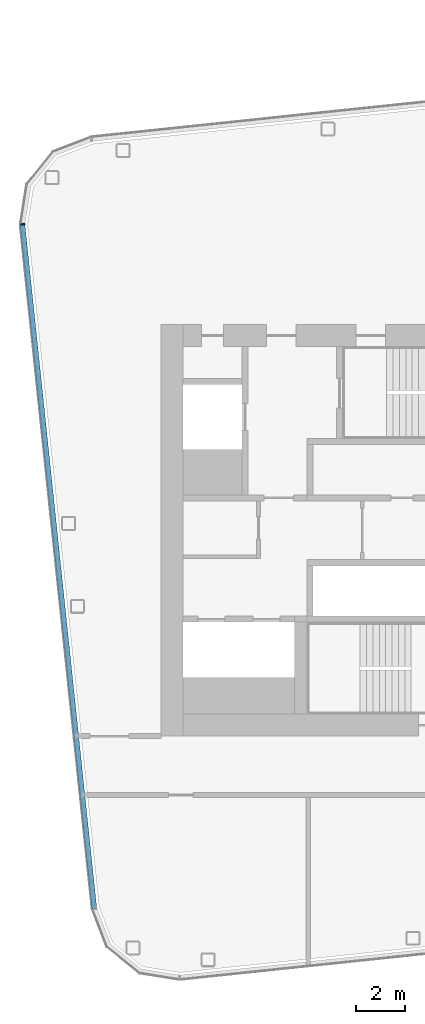
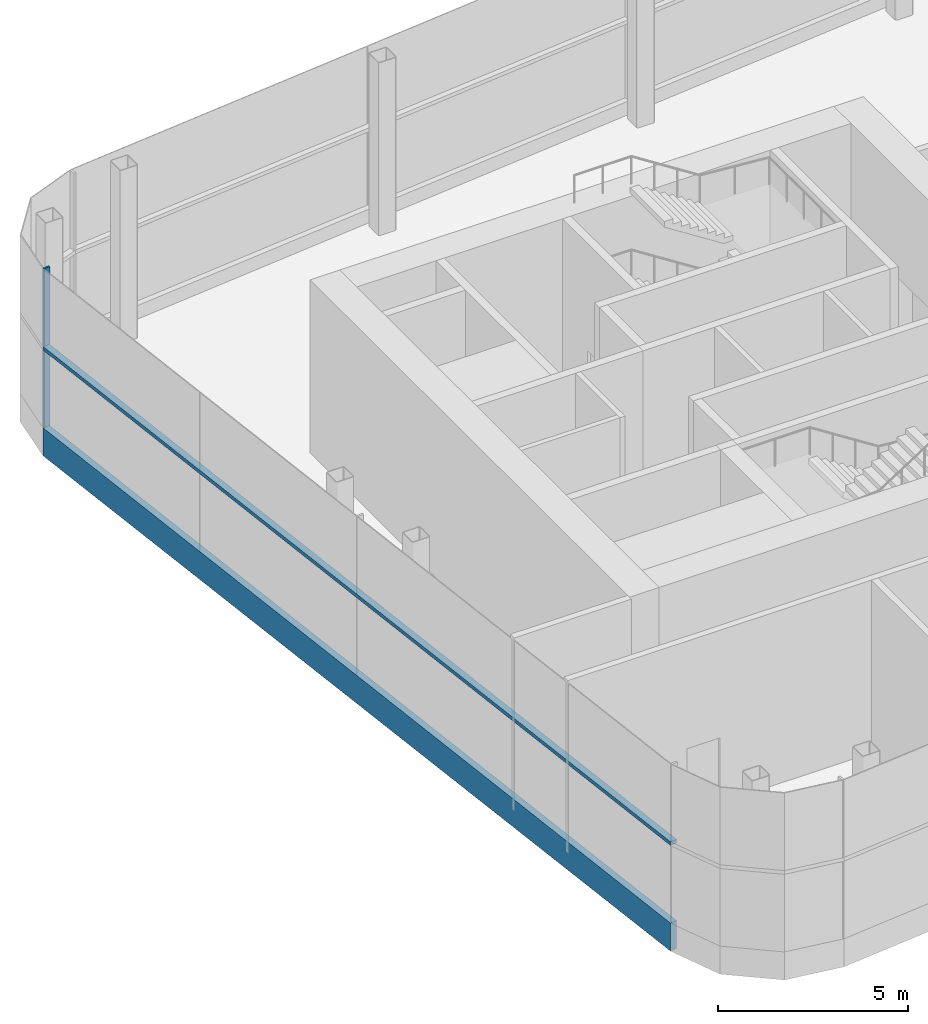
# One storey, part 4 of 35: 4 members, 1 element without a shape of its own.
"""IFC4 building model written with IfcOpenShell, lengths in metres."""

from ifc_helpers import new_model, si_unit, direction, frame, origin, origin_2d, place, context, subcontext, project, spatial, rectangle, extrude, material, layer, layer_set, material_profile, profile_set, type_object, element, aggregate, save


model = new_model("IFC4")

# Units and contexts
model_context = context("Model", 3, precision=1e-05, world=origin(), true_north=direction((0.0, 1.0)))
body_context = subcontext(model_context, "Body", "Model", "MODEL_VIEW")
ifc_project = project(units=[si_unit("LENGTHUNIT", "METRE"), si_unit("AREAUNIT", "SQUARE_METRE"), si_unit("VOLUMEUNIT", "CUBIC_METRE"), si_unit("PLANEANGLEUNIT", "RADIAN"), si_unit("MASSUNIT", "GRAM", prefix="KILO")], contexts=[model_context])

# Site, building, storey
site_placement = place(None, origin())
site = spatial("IfcSite", under=ifc_project, at=site_placement, CompositionType="ELEMENT")
building_placement = place(site_placement, origin())
building = spatial("IfcBuilding", under=site, at=building_placement, Name="Hakoniwa Tower and Hamabe Station Hall", CompositionType="ELEMENT")
storey_placement = place(building_placement, frame((0.0, 0.0, 264.60009765625)))
storey = spatial("IfcBuildingStorey", under=building, at=storey_placement, Name="L75", CompositionType="ELEMENT", Elevation=264.60009765625)

# Curtain wall, members
ifc_material_1 = material(Name="Dark low-e laminated glass", Category="glass")
ifc_layer = layer(ifc_material_1, 0.199951171875)
ifc_layer_set = layer_set([ifc_layer], Name="CW-1 UNITISED GUEST")
curtain_wall_type = type_object("IfcCurtainWallType", Name="CW-1 UNITISED GUEST", PredefinedType="NOTDEFINED", material=ifc_layer_set)
curtain_wall_placement = place(storey_placement, origin())
curtain_wall = element("IfcCurtainWall", 1, at=curtain_wall_placement, inside=storey, type_object=curtain_wall_type, Name="CW-1 curtain wall", PredefinedType="NOTDEFINED")
ifc_material_2 = material(Name="Aluminium 6063-T5 black anodised", Category="aluminium")
ifc_material_profile_1 = material_profile(ifc_material_2, rectangle(XDim=0.199951171875, YDim=0.1201171875, at=origin_2d()), Name="CW MID TRANSOM 120X200")
ifc_profile_set_1 = profile_set([ifc_material_profile_1], Name="Aluminium 6063-T5 black anodised")
member_type_1 = type_object("IfcMemberType", Name="CW MID TRANSOM 120X200", PredefinedType="USERDEFINED", material=ifc_profile_set_1)
member_1_placement = place(storey_placement, frame((-39.25927734375, 12.490478515625, 2.89990234375), z_axis=(0.104529086463, -0.994521829868, 0.0), x_axis=(0.994521829868, 0.104529086463, 0.0)))
member_1 = element("IfcMember", 2, at=member_1_placement, type_object=member_type_1, Name="CW-1 transom", ObjectType="TRANSOM", PredefinedType="USERDEFINED", context=body_context, shape_type="SweptSolid", body=[
    extrude(rectangle(XDim=0.199951171875, YDim=0.1201171875, at=origin_2d()), origin(), (0.0, 0.0, 1.0), 28.078857421875),
])
ifc_material_3 = material(Name="Aluminium 6063-T5 black anodised", Category="aluminium")
ifc_material_profile_2 = material_profile(ifc_material_3, rectangle(XDim=0.199951171875, YDim=0.89990234375, at=origin_2d()), Name="CW SLAB-EDGE BAND 900X200")
ifc_profile_set_2 = profile_set([ifc_material_profile_2], Name="Aluminium 6063-T5 black anodised")
member_type_2 = type_object("IfcMemberType", Name="CW SLAB-EDGE BAND 900X200", PredefinedType="USERDEFINED", material=ifc_profile_set_2)
member_2_placement = place(storey_placement, frame((-39.25927734375, 12.490478515625, -0.10009765625), z_axis=(0.104529086463, -0.994521829868, 0.0), x_axis=(0.994521829868, 0.104529086463, 0.0)))
member_2 = element("IfcMember", 3, at=member_2_placement, type_object=member_type_2, Name="CW-1 transom", ObjectType="TRANSOM", PredefinedType="USERDEFINED", context=body_context, shape_type="SweptSolid", body=[
    extrude(rectangle(XDim=0.199951171875, YDim=0.89990234375, at=origin_2d()), origin(), (0.0, 0.0, 1.0), 28.078857421875),
])
ifc_material_4 = material(Name="Aluminium 6063-T5 black anodised", Category="aluminium")
ifc_material_profile_3 = material_profile(ifc_material_4, rectangle(XDim=0.06005859375, YDim=0.179931640625, at=origin_2d()), Name="CW-1 MULLION 60X180")
ifc_profile_set_3 = profile_set([ifc_material_profile_3], Name="Aluminium 6063-T5 black anodised")
member_type_3 = type_object("IfcMemberType", Name="CW-1 MULLION 60X180", PredefinedType="MULLION", material=ifc_profile_set_3)
member_3_placement = place(storey_placement, frame((-39.241455078125, 12.492431640625, 0.349853515625), z_axis=(0.0, 0.0, 1.0), x_axis=(0.104528468631, -0.994521894805, 0.0)))
member_3 = element("IfcMember", 4, at=member_3_placement, type_object=member_type_3, Name="CW-1 mullion", PredefinedType="MULLION", context=body_context, shape_type="SweptSolid", body=[
    extrude(rectangle(XDim=0.06005859375, YDim=0.179931640625, at=origin_2d()), origin(), (0.0, 0.0, 1.0), 2.489990234375),
])
member_4_placement = place(storey_placement, frame((-39.241455078125, 12.492431640625, 2.9599609375), z_axis=(0.0, 0.0, 1.0), x_axis=(0.104528468631, -0.994521894805, 0.0)))
member_4 = element("IfcMember", 5, at=member_4_placement, type_object=member_type_3, Name="CW-1 mullion", PredefinedType="MULLION", context=body_context, shape_type="SweptSolid", body=[
    extrude(rectangle(XDim=0.06005859375, YDim=0.179931640625, at=origin_2d()), origin(), (0.0, 0.0, 1.0), 2.489990234375),
])
aggregate(curtain_wall, [member_3, member_4, member_2, member_1])

save(model, "model.ifc")
